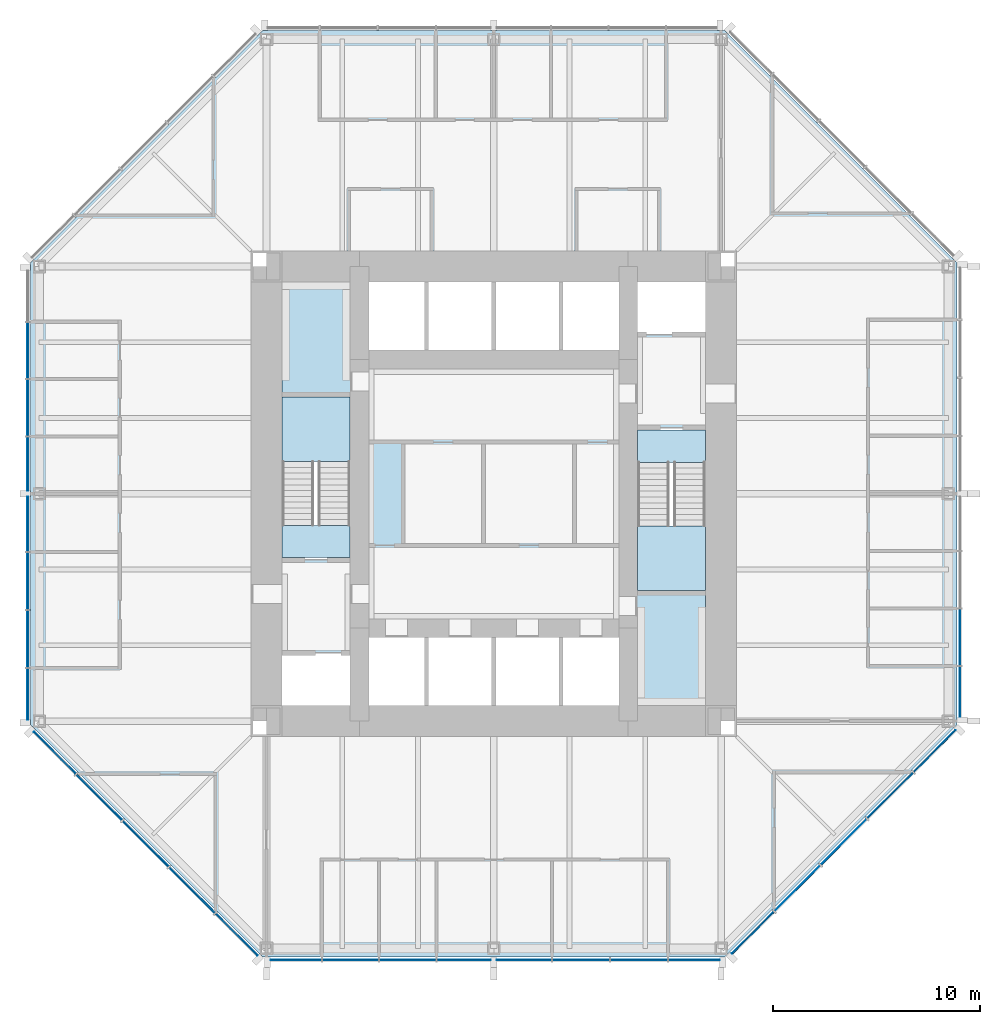
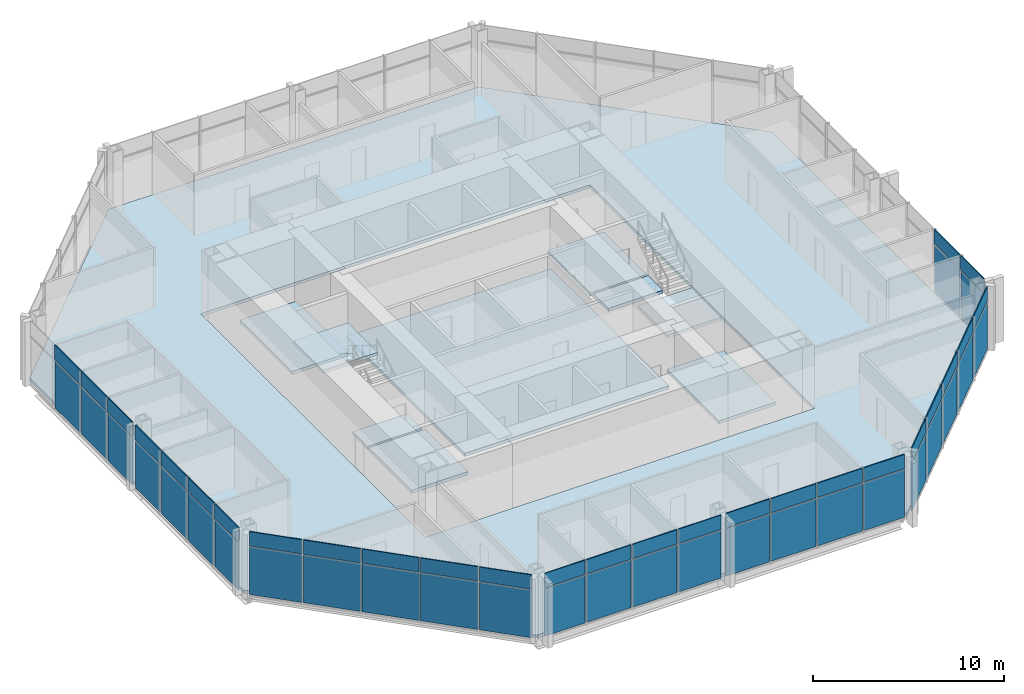
# One storey, part 7 of 12: 54 plates, 10 slabs, 7 elements without a shape of their own.
"""IFC4 building model written with IfcOpenShell, lengths in metres."""

from ifc_helpers import new_model, si_unit, direction, frame, origin, origin_2d, place, context, subcontext, project, spatial, polyline, rectangle, outline, extrude, material, layer, layer_set, type_object, element, aggregate, save


model = new_model("IFC4")

# Units and contexts
model_context = context("Model", 3, precision=1e-05, world=origin(), true_north=direction((0.0, 1.0)))
body_context = subcontext(model_context, "Body", "Model", "MODEL_VIEW")
ifc_project = project(units=[si_unit("LENGTHUNIT", "METRE"), si_unit("AREAUNIT", "SQUARE_METRE"), si_unit("VOLUMEUNIT", "CUBIC_METRE"), si_unit("PLANEANGLEUNIT", "RADIAN"), si_unit("MASSUNIT", "GRAM", prefix="KILO")], contexts=[model_context])

# Site, building, storey
site_placement = place(None, origin())
site = spatial("IfcSite", under=ifc_project, at=site_placement, CompositionType="ELEMENT")
building_placement = place(site_placement, origin())
building = spatial("IfcBuilding", under=site, at=building_placement, Name="Trevanion Tower", CompositionType="ELEMENT")
storey_placement = place(building_placement, frame((0.0, 0.0, 166.39990234375)))
storey = spatial("IfcBuildingStorey", under=building, at=storey_placement, Name="L39", CompositionType="ELEMENT", Elevation=166.39990234375)

# Curtain wall, plates
ifc_material_1 = material(Name="Aluminium and glass", Category="aluminium")
curtain_wall_type = type_object("IfcCurtainWallType", Name="CW2 curtain wall", PredefinedType="USERDEFINED", material=ifc_material_1)
curtain_wall_1_placement = place(storey_placement, origin())
curtain_wall_1 = element("IfcCurtainWall", 1, at=curtain_wall_1_placement, inside=storey, type_object=curtain_wall_type, Name="CW2 L39 0", ObjectType="UNITISED CURTAIN WALL", PredefinedType="USERDEFINED")
ifc_material_2 = material(Name="Aluminium spandrel panel", Category="aluminium")
ifc_layer_1 = layer(ifc_material_2, 0.06005859375)
ifc_layer_set_1 = layer_set([ifc_layer_1], Name="CW2 spandrel panel")
plate_type_1 = type_object("IfcPlateType", Name="CW2 spandrel panel", PredefinedType="CURTAIN_PANEL", material=ifc_layer_set_1)
plate_1_placement = place(storey_placement, frame((22.550048828125, -9.579345703125, 2.99755859375), z_axis=(0.0, 0.0, 1.0), x_axis=(0.0, 1.0, 0.0)))
plate_1 = element("IfcPlate", 2, at=plate_1_placement, type_object=plate_type_1, Name="CW2 panel 1.2", PredefinedType="CURTAIN_PANEL", context=body_context, shape_type="SweptSolid", body=[
    extrude(rectangle(XDim=2.43701171875, YDim=0.06005859375, at=origin_2d()), origin(), (0.0, 0.0, 1.0), 0.91259765625),
])
plate_2_placement = place(storey_placement, frame((22.550048828125, -6.93603515625, 2.99755859375), z_axis=(0.0, 0.0, 1.0), x_axis=(0.0, 1.0, 0.0)))
plate_2 = element("IfcPlate", 3, at=plate_2_placement, type_object=plate_type_1, Name="CW2 panel 2.2", PredefinedType="CURTAIN_PANEL", context=body_context, shape_type="SweptSolid", body=[
    extrude(rectangle(XDim=2.699462890625, YDim=0.06005859375, at=origin_2d()), origin(), (0.0, 0.0, 1.0), 0.91259765625),
])

curtain_wall_2_placement = place(storey_placement, origin())
curtain_wall_2 = element("IfcCurtainWall", 4, at=curtain_wall_2_placement, inside=storey, type_object=curtain_wall_type, Name="CW2 L39 4", ObjectType="UNITISED CURTAIN WALL", PredefinedType="USERDEFINED")
plate_3_placement = place(storey_placement, frame((-22.550048828125, 6.93603515625, 2.99755859375), z_axis=(0.0, 0.0, 1.0), x_axis=(0.0, -1.0, 0.0)))
plate_3 = element("IfcPlate", 5, at=plate_3_placement, type_object=plate_type_1, Name="CW2 panel 2.2", PredefinedType="CURTAIN_PANEL", context=body_context, shape_type="SweptSolid", body=[
    extrude(rectangle(XDim=2.699462890625, YDim=0.06005859375, at=origin_2d()), origin(), (0.0, 0.0, 1.0), 0.91259765625),
])
plate_4_placement = place(storey_placement, frame((-22.550048828125, 4.16162109375, 2.99755859375), z_axis=(0.0, 0.0, 1.0), x_axis=(0.0, -1.0, 0.0)))
plate_4 = element("IfcPlate", 6, at=plate_4_placement, type_object=plate_type_1, Name="CW2 panel 3.2", PredefinedType="CURTAIN_PANEL", context=body_context, shape_type="SweptSolid", body=[
    extrude(rectangle(XDim=2.699462890625, YDim=0.06005859375, at=origin_2d()), origin(), (0.0, 0.0, 1.0), 0.91259765625),
])
plate_5_placement = place(storey_placement, frame((-22.550048828125, 1.443603515625, 2.99755859375), z_axis=(0.0, 0.0, 1.0), x_axis=(0.0, -1.0, 0.0)))
plate_5 = element("IfcPlate", 7, at=plate_5_placement, type_object=plate_type_1, Name="CW2 panel 4.2", PredefinedType="CURTAIN_PANEL", context=body_context, shape_type="SweptSolid", body=[
    extrude(rectangle(XDim=2.5869140625, YDim=0.06005859375, at=origin_2d()), origin(), (0.0, 0.0, 1.0), 0.91259765625),
])
plate_6_placement = place(storey_placement, frame((-22.550048828125, -1.459716796875, 2.99755859375), z_axis=(0.0, 0.0, 1.0), x_axis=(0.0, -1.0, 0.0)))
plate_6 = element("IfcPlate", 8, at=plate_6_placement, type_object=plate_type_1, Name="CW2 panel 5.2", PredefinedType="CURTAIN_PANEL", context=body_context, shape_type="SweptSolid", body=[
    extrude(rectangle(XDim=2.619384765625, YDim=0.06005859375, at=origin_2d()), origin(), (0.0, 0.0, 1.0), 0.91259765625),
])
plate_7_placement = place(storey_placement, frame((-22.550048828125, -4.21044921875, 2.99755859375), z_axis=(0.0, 0.0, 1.0), x_axis=(0.0, -1.0, 0.0)))
plate_7 = element("IfcPlate", 9, at=plate_7_placement, type_object=plate_type_1, Name="CW2 panel 6.2", PredefinedType="CURTAIN_PANEL", context=body_context, shape_type="SweptSolid", body=[
    extrude(rectangle(XDim=2.73193359375, YDim=0.06005859375, at=origin_2d()), origin(), (0.0, 0.0, 1.0), 0.91259765625),
])
plate_8_placement = place(storey_placement, frame((-22.550048828125, -7.017333984375, 2.99755859375), z_axis=(0.0, 0.0, 1.0), x_axis=(0.0, -1.0, 0.0)))
plate_8 = element("IfcPlate", 10, at=plate_8_placement, type_object=plate_type_1, Name="CW2 panel 7.2", PredefinedType="CURTAIN_PANEL", context=body_context, shape_type="SweptSolid", body=[
    extrude(rectangle(XDim=2.73193359375, YDim=0.06005859375, at=origin_2d()), origin(), (0.0, 0.0, 1.0), 0.91259765625),
])
plate_9_placement = place(storey_placement, frame((-22.550048828125, -9.693115234375, 2.99755859375), z_axis=(0.0, 0.0, 1.0), x_axis=(0.0, -1.0, 0.0)))
plate_9 = element("IfcPlate", 11, at=plate_9_placement, type_object=plate_type_1, Name="CW2 panel 8.2", PredefinedType="CURTAIN_PANEL", context=body_context, shape_type="SweptSolid", body=[
    extrude(rectangle(XDim=2.469482421875, YDim=0.06005859375, at=origin_2d()), origin(), (0.0, 0.0, 1.0), 0.91259765625),
])

curtain_wall_3_placement = place(storey_placement, origin())
curtain_wall_3 = element("IfcCurtainWall", 12, at=curtain_wall_3_placement, inside=storey, type_object=curtain_wall_type, Name="CW2 L39 5", ObjectType="UNITISED CURTAIN WALL", PredefinedType="USERDEFINED")
plate_10_placement = place(storey_placement, frame((-21.2421875, -12.53564453125, 2.99755859375), z_axis=(0.0, 0.0, 1.0), x_axis=(0.707106781187, -0.707106781187, 0.0)))
plate_10 = element("IfcPlate", 13, at=plate_10_placement, type_object=plate_type_1, Name="CW2 panel 1.2", PredefinedType="CURTAIN_PANEL", context=body_context, shape_type="SweptSolid", body=[
    extrude(rectangle(XDim=2.8388671875, YDim=0.06005859375, at=origin_2d()), origin(), (0.0, 0.0, 1.0), 0.91259765625),
])
plate_11_placement = place(storey_placement, frame((-19.089111328125, -14.688720703125, 2.99755859375), z_axis=(0.0, 0.0, 1.0), x_axis=(0.707106781187, -0.707106781187, 0.0)))
plate_11 = element("IfcPlate", 14, at=plate_11_placement, type_object=plate_type_1, Name="CW2 panel 2.2", PredefinedType="CURTAIN_PANEL", context=body_context, shape_type="SweptSolid", body=[
    extrude(rectangle(XDim=3.101318359375, YDim=0.06005859375, at=origin_2d()), origin(), (0.0, 0.0, 1.0), 0.91259765625),
])
plate_12_placement = place(storey_placement, frame((-16.843017578125, -16.934814453125, 2.99755859375), z_axis=(0.0, 0.0, 1.0), x_axis=(0.707106781187, -0.707106781187, 0.0)))
plate_12 = element("IfcPlate", 15, at=plate_12_placement, type_object=plate_type_1, Name="CW2 panel 3.2", PredefinedType="CURTAIN_PANEL", context=body_context, shape_type="SweptSolid", body=[
    extrude(rectangle(XDim=3.101318359375, YDim=0.06005859375, at=origin_2d()), origin(), (0.0, 0.0, 1.0), 0.91259765625),
])
plate_13_placement = place(storey_placement, frame((-14.596923828125, -19.180908203125, 2.99755859375), z_axis=(0.0, 0.0, 1.0), x_axis=(0.707106781187, -0.707106781187, 0.0)))
plate_13 = element("IfcPlate", 16, at=plate_13_placement, type_object=plate_type_1, Name="CW2 panel 4.2", PredefinedType="CURTAIN_PANEL", context=body_context, shape_type="SweptSolid", body=[
    extrude(rectangle(XDim=3.101318359375, YDim=0.06005859375, at=origin_2d()), origin(), (0.0, 0.0, 1.0), 0.91259765625),
])
plate_14_placement = place(storey_placement, frame((-12.443603515625, -21.334228515625, 2.99755859375), z_axis=(0.0, 0.0, 1.0), x_axis=(0.707106781187, -0.707106781187, 0.0)))
plate_14 = element("IfcPlate", 17, at=plate_14_placement, type_object=plate_type_1, Name="CW2 panel 5.2", PredefinedType="CURTAIN_PANEL", context=body_context, shape_type="SweptSolid", body=[
    extrude(rectangle(XDim=2.8388671875, YDim=0.06005859375, at=origin_2d()), origin(), (0.0, 0.0, 1.0), 0.91259765625),
])

curtain_wall_4_placement = place(storey_placement, origin())
curtain_wall_4 = element("IfcCurtainWall", 18, at=curtain_wall_4_placement, inside=storey, type_object=curtain_wall_type, Name="CW2 L39 6", ObjectType="UNITISED CURTAIN WALL", PredefinedType="USERDEFINED")
plate_15_placement = place(storey_placement, frame((-9.579345703125, -22.550048828125, 2.99755859375), z_axis=(0.0, 0.0, 1.0), x_axis=(1.0, 0.0, 0.0)))
plate_15 = element("IfcPlate", 19, at=plate_15_placement, type_object=plate_type_1, Name="CW2 panel 1.2", PredefinedType="CURTAIN_PANEL", context=body_context, shape_type="SweptSolid", body=[
    extrude(rectangle(XDim=2.43701171875, YDim=0.06005859375, at=origin_2d()), origin(), (0.0, 0.0, 1.0), 0.91259765625),
])
plate_16_placement = place(storey_placement, frame((-6.93603515625, -22.550048828125, 2.99755859375), z_axis=(0.0, 0.0, 1.0), x_axis=(1.0, 0.0, 0.0)))
plate_16 = element("IfcPlate", 20, at=plate_16_placement, type_object=plate_type_1, Name="CW2 panel 2.2", PredefinedType="CURTAIN_PANEL", context=body_context, shape_type="SweptSolid", body=[
    extrude(rectangle(XDim=2.699462890625, YDim=0.06005859375, at=origin_2d()), origin(), (0.0, 0.0, 1.0), 0.91259765625),
])
plate_17_placement = place(storey_placement, frame((-4.16162109375, -22.550048828125, 2.99755859375), z_axis=(0.0, 0.0, 1.0), x_axis=(1.0, 0.0, 0.0)))
plate_17 = element("IfcPlate", 21, at=plate_17_placement, type_object=plate_type_1, Name="CW2 panel 3.2", PredefinedType="CURTAIN_PANEL", context=body_context, shape_type="SweptSolid", body=[
    extrude(rectangle(XDim=2.699462890625, YDim=0.06005859375, at=origin_2d()), origin(), (0.0, 0.0, 1.0), 0.91259765625),
])
plate_18_placement = place(storey_placement, frame((-1.443603515625, -22.550048828125, 2.99755859375), z_axis=(0.0, 0.0, 1.0), x_axis=(1.0, 0.0, 0.0)))
plate_18 = element("IfcPlate", 22, at=plate_18_placement, type_object=plate_type_1, Name="CW2 panel 4.2", PredefinedType="CURTAIN_PANEL", context=body_context, shape_type="SweptSolid", body=[
    extrude(rectangle(XDim=2.5869140625, YDim=0.06005859375, at=origin_2d()), origin(), (0.0, 0.0, 1.0), 0.91259765625),
])
plate_19_placement = place(storey_placement, frame((1.459716796875, -22.550048828125, 2.99755859375), z_axis=(0.0, 0.0, 1.0), x_axis=(1.0, 0.0, 0.0)))
plate_19 = element("IfcPlate", 23, at=plate_19_placement, type_object=plate_type_1, Name="CW2 panel 5.2", PredefinedType="CURTAIN_PANEL", context=body_context, shape_type="SweptSolid", body=[
    extrude(rectangle(XDim=2.619384765625, YDim=0.06005859375, at=origin_2d()), origin(), (0.0, 0.0, 1.0), 0.91259765625),
])
plate_20_placement = place(storey_placement, frame((4.21044921875, -22.550048828125, 2.99755859375), z_axis=(0.0, 0.0, 1.0), x_axis=(1.0, 0.0, 0.0)))
plate_20 = element("IfcPlate", 24, at=plate_20_placement, type_object=plate_type_1, Name="CW2 panel 6.2", PredefinedType="CURTAIN_PANEL", context=body_context, shape_type="SweptSolid", body=[
    extrude(rectangle(XDim=2.73193359375, YDim=0.06005859375, at=origin_2d()), origin(), (0.0, 0.0, 1.0), 0.91259765625),
])
plate_21_placement = place(storey_placement, frame((7.017333984375, -22.550048828125, 2.99755859375), z_axis=(0.0, 0.0, 1.0), x_axis=(1.0, 0.0, 0.0)))
plate_21 = element("IfcPlate", 25, at=plate_21_placement, type_object=plate_type_1, Name="CW2 panel 7.2", PredefinedType="CURTAIN_PANEL", context=body_context, shape_type="SweptSolid", body=[
    extrude(rectangle(XDim=2.73193359375, YDim=0.06005859375, at=origin_2d()), origin(), (0.0, 0.0, 1.0), 0.91259765625),
])
plate_22_placement = place(storey_placement, frame((9.693115234375, -22.550048828125, 2.99755859375), z_axis=(0.0, 0.0, 1.0), x_axis=(1.0, 0.0, 0.0)))
plate_22 = element("IfcPlate", 26, at=plate_22_placement, type_object=plate_type_1, Name="CW2 panel 8.2", PredefinedType="CURTAIN_PANEL", context=body_context, shape_type="SweptSolid", body=[
    extrude(rectangle(XDim=2.469482421875, YDim=0.06005859375, at=origin_2d()), origin(), (0.0, 0.0, 1.0), 0.91259765625),
])

curtain_wall_5_placement = place(storey_placement, origin())
curtain_wall_5 = element("IfcCurtainWall", 27, at=curtain_wall_5_placement, inside=storey, type_object=curtain_wall_type, Name="CW2 L39 7", ObjectType="UNITISED CURTAIN WALL", PredefinedType="USERDEFINED")
plate_23_placement = place(storey_placement, frame((12.53564453125, -21.2421875, 2.99755859375), z_axis=(0.0, 0.0, 1.0), x_axis=(0.707106781187, 0.707106781187, 0.0)))
plate_23 = element("IfcPlate", 28, at=plate_23_placement, type_object=plate_type_1, Name="CW2 panel 1.2", PredefinedType="CURTAIN_PANEL", context=body_context, shape_type="SweptSolid", body=[
    extrude(rectangle(XDim=2.8388671875, YDim=0.06005859375, at=origin_2d()), origin(), (0.0, 0.0, 1.0), 0.91259765625),
])
plate_24_placement = place(storey_placement, frame((14.688720703125, -19.089111328125, 2.99755859375), z_axis=(0.0, 0.0, 1.0), x_axis=(0.707106781187, 0.707106781187, 0.0)))
plate_24 = element("IfcPlate", 29, at=plate_24_placement, type_object=plate_type_1, Name="CW2 panel 2.2", PredefinedType="CURTAIN_PANEL", context=body_context, shape_type="SweptSolid", body=[
    extrude(rectangle(XDim=3.101318359375, YDim=0.06005859375, at=origin_2d()), origin(), (0.0, 0.0, 1.0), 0.91259765625),
])
plate_25_placement = place(storey_placement, frame((16.934814453125, -16.843017578125, 2.99755859375), z_axis=(0.0, 0.0, 1.0), x_axis=(0.707106781187, 0.707106781187, 0.0)))
plate_25 = element("IfcPlate", 30, at=plate_25_placement, type_object=plate_type_1, Name="CW2 panel 3.2", PredefinedType="CURTAIN_PANEL", context=body_context, shape_type="SweptSolid", body=[
    extrude(rectangle(XDim=3.101318359375, YDim=0.06005859375, at=origin_2d()), origin(), (0.0, 0.0, 1.0), 0.91259765625),
])
plate_26_placement = place(storey_placement, frame((19.180908203125, -14.596923828125, 2.99755859375), z_axis=(0.0, 0.0, 1.0), x_axis=(0.707106781187, 0.707106781187, 0.0)))
plate_26 = element("IfcPlate", 31, at=plate_26_placement, type_object=plate_type_1, Name="CW2 panel 4.2", PredefinedType="CURTAIN_PANEL", context=body_context, shape_type="SweptSolid", body=[
    extrude(rectangle(XDim=3.101318359375, YDim=0.06005859375, at=origin_2d()), origin(), (0.0, 0.0, 1.0), 0.91259765625),
])
plate_27_placement = place(storey_placement, frame((21.334228515625, -12.443603515625, 2.99755859375), z_axis=(0.0, 0.0, 1.0), x_axis=(0.707106781187, 0.707106781187, 0.0)))
plate_27 = element("IfcPlate", 32, at=plate_27_placement, type_object=plate_type_1, Name="CW2 panel 5.2", PredefinedType="CURTAIN_PANEL", context=body_context, shape_type="SweptSolid", body=[
    extrude(rectangle(XDim=2.8388671875, YDim=0.06005859375, at=origin_2d()), origin(), (0.0, 0.0, 1.0), 0.91259765625),
])

# Plate
ifc_material_3 = material(Name="Insulating glass unit", Category="glass")
ifc_layer_2 = layer(ifc_material_3, 0.028076171875)
ifc_layer_set_2 = layer_set([ifc_layer_2], Name="CW2 vision panel")
plate_type_2 = type_object("IfcPlateType", Name="CW2 vision panel", PredefinedType="CURTAIN_PANEL", material=ifc_layer_set_2)
plate_28_placement = place(storey_placement, frame((22.550048828125, -9.579345703125, -0.114990234375), z_axis=(0.0, 0.0, 1.0), x_axis=(0.0, 1.0, 0.0)))
plate_28 = element("IfcPlate", 33, at=plate_28_placement, type_object=plate_type_2, Name="CW2 panel 1.1", PredefinedType="CURTAIN_PANEL", context=body_context, shape_type="SweptSolid", body=[
    extrude(rectangle(XDim=2.43701171875, YDim=0.028076171875, at=origin_2d()), origin(), (0.0, 0.0, 1.0), 3.03759765625),
])

plate_29_placement = place(storey_placement, frame((22.550048828125, -6.93603515625, -0.114990234375), z_axis=(0.0, 0.0, 1.0), x_axis=(0.0, 1.0, 0.0)))
plate_29 = element("IfcPlate", 34, at=plate_29_placement, type_object=plate_type_2, Name="CW2 panel 2.1", PredefinedType="CURTAIN_PANEL", context=body_context, shape_type="SweptSolid", body=[
    extrude(rectangle(XDim=2.699462890625, YDim=0.028076171875, at=origin_2d()), origin(), (0.0, 0.0, 1.0), 3.03759765625),
])

aggregate(curtain_wall_1, [plate_28, plate_1, plate_29, plate_2])

plate_30_placement = place(storey_placement, frame((-22.550048828125, 6.93603515625, -0.114990234375), z_axis=(0.0, 0.0, 1.0), x_axis=(0.0, -1.0, 0.0)))
plate_30 = element("IfcPlate", 35, at=plate_30_placement, type_object=plate_type_2, Name="CW2 panel 2.1", PredefinedType="CURTAIN_PANEL", context=body_context, shape_type="SweptSolid", body=[
    extrude(rectangle(XDim=2.699462890625, YDim=0.028076171875, at=origin_2d()), origin(), (0.0, 0.0, 1.0), 3.03759765625),
])

plate_31_placement = place(storey_placement, frame((-22.550048828125, 4.16162109375, -0.114990234375), z_axis=(0.0, 0.0, 1.0), x_axis=(0.0, -1.0, 0.0)))
plate_31 = element("IfcPlate", 36, at=plate_31_placement, type_object=plate_type_2, Name="CW2 panel 3.1", PredefinedType="CURTAIN_PANEL", context=body_context, shape_type="SweptSolid", body=[
    extrude(rectangle(XDim=2.699462890625, YDim=0.028076171875, at=origin_2d()), origin(), (0.0, 0.0, 1.0), 3.03759765625),
])

plate_32_placement = place(storey_placement, frame((-22.550048828125, 1.443603515625, -0.114990234375), z_axis=(0.0, 0.0, 1.0), x_axis=(0.0, -1.0, 0.0)))
plate_32 = element("IfcPlate", 37, at=plate_32_placement, type_object=plate_type_2, Name="CW2 panel 4.1", PredefinedType="CURTAIN_PANEL", context=body_context, shape_type="SweptSolid", body=[
    extrude(rectangle(XDim=2.5869140625, YDim=0.028076171875, at=origin_2d()), origin(), (0.0, 0.0, 1.0), 3.03759765625),
])

plate_33_placement = place(storey_placement, frame((-22.550048828125, -1.459716796875, -0.114990234375), z_axis=(0.0, 0.0, 1.0), x_axis=(0.0, -1.0, 0.0)))
plate_33 = element("IfcPlate", 38, at=plate_33_placement, type_object=plate_type_2, Name="CW2 panel 5.1", PredefinedType="CURTAIN_PANEL", context=body_context, shape_type="SweptSolid", body=[
    extrude(rectangle(XDim=2.619384765625, YDim=0.028076171875, at=origin_2d()), origin(), (0.0, 0.0, 1.0), 3.03759765625),
])

plate_34_placement = place(storey_placement, frame((-22.550048828125, -4.21044921875, -0.114990234375), z_axis=(0.0, 0.0, 1.0), x_axis=(0.0, -1.0, 0.0)))
plate_34 = element("IfcPlate", 39, at=plate_34_placement, type_object=plate_type_2, Name="CW2 panel 6.1", PredefinedType="CURTAIN_PANEL", context=body_context, shape_type="SweptSolid", body=[
    extrude(rectangle(XDim=2.73193359375, YDim=0.028076171875, at=origin_2d()), origin(), (0.0, 0.0, 1.0), 3.03759765625),
])

plate_35_placement = place(storey_placement, frame((-22.550048828125, -7.017333984375, -0.114990234375), z_axis=(0.0, 0.0, 1.0), x_axis=(0.0, -1.0, 0.0)))
plate_35 = element("IfcPlate", 40, at=plate_35_placement, type_object=plate_type_2, Name="CW2 panel 7.1", PredefinedType="CURTAIN_PANEL", context=body_context, shape_type="SweptSolid", body=[
    extrude(rectangle(XDim=2.73193359375, YDim=0.028076171875, at=origin_2d()), origin(), (0.0, 0.0, 1.0), 3.03759765625),
])

plate_36_placement = place(storey_placement, frame((-22.550048828125, -9.693115234375, -0.114990234375), z_axis=(0.0, 0.0, 1.0), x_axis=(0.0, -1.0, 0.0)))
plate_36 = element("IfcPlate", 41, at=plate_36_placement, type_object=plate_type_2, Name="CW2 panel 8.1", PredefinedType="CURTAIN_PANEL", context=body_context, shape_type="SweptSolid", body=[
    extrude(rectangle(XDim=2.469482421875, YDim=0.028076171875, at=origin_2d()), origin(), (0.0, 0.0, 1.0), 3.03759765625),
])

aggregate(curtain_wall_2, [plate_30, plate_3, plate_31, plate_4, plate_32, plate_5, plate_33, plate_6, plate_34, plate_7, plate_35, plate_8, plate_36, plate_9])

plate_37_placement = place(storey_placement, frame((-21.2421875, -12.53564453125, -0.114990234375), z_axis=(0.0, 0.0, 1.0), x_axis=(0.707106781187, -0.707106781187, 0.0)))
plate_37 = element("IfcPlate", 42, at=plate_37_placement, type_object=plate_type_2, Name="CW2 panel 1.1", PredefinedType="CURTAIN_PANEL", context=body_context, shape_type="SweptSolid", body=[
    extrude(rectangle(XDim=2.8388671875, YDim=0.028076171875, at=origin_2d()), origin(), (0.0, 0.0, 1.0), 3.03759765625),
])

plate_38_placement = place(storey_placement, frame((-19.089111328125, -14.688720703125, -0.114990234375), z_axis=(0.0, 0.0, 1.0), x_axis=(0.707106781187, -0.707106781187, 0.0)))
plate_38 = element("IfcPlate", 43, at=plate_38_placement, type_object=plate_type_2, Name="CW2 panel 2.1", PredefinedType="CURTAIN_PANEL", context=body_context, shape_type="SweptSolid", body=[
    extrude(rectangle(XDim=3.101318359375, YDim=0.028076171875, at=origin_2d()), origin(), (0.0, 0.0, 1.0), 3.03759765625),
])

plate_39_placement = place(storey_placement, frame((-16.843017578125, -16.934814453125, -0.114990234375), z_axis=(0.0, 0.0, 1.0), x_axis=(0.707106781187, -0.707106781187, 0.0)))
plate_39 = element("IfcPlate", 44, at=plate_39_placement, type_object=plate_type_2, Name="CW2 panel 3.1", PredefinedType="CURTAIN_PANEL", context=body_context, shape_type="SweptSolid", body=[
    extrude(rectangle(XDim=3.101318359375, YDim=0.028076171875, at=origin_2d()), origin(), (0.0, 0.0, 1.0), 3.03759765625),
])

plate_40_placement = place(storey_placement, frame((-14.596923828125, -19.180908203125, -0.114990234375), z_axis=(0.0, 0.0, 1.0), x_axis=(0.707106781187, -0.707106781187, 0.0)))
plate_40 = element("IfcPlate", 45, at=plate_40_placement, type_object=plate_type_2, Name="CW2 panel 4.1", PredefinedType="CURTAIN_PANEL", context=body_context, shape_type="SweptSolid", body=[
    extrude(rectangle(XDim=3.101318359375, YDim=0.028076171875, at=origin_2d()), origin(), (0.0, 0.0, 1.0), 3.03759765625),
])

plate_41_placement = place(storey_placement, frame((-12.443603515625, -21.334228515625, -0.114990234375), z_axis=(0.0, 0.0, 1.0), x_axis=(0.707106781187, -0.707106781187, 0.0)))
plate_41 = element("IfcPlate", 46, at=plate_41_placement, type_object=plate_type_2, Name="CW2 panel 5.1", PredefinedType="CURTAIN_PANEL", context=body_context, shape_type="SweptSolid", body=[
    extrude(rectangle(XDim=2.8388671875, YDim=0.028076171875, at=origin_2d()), origin(), (0.0, 0.0, 1.0), 3.03759765625),
])

aggregate(curtain_wall_3, [plate_37, plate_10, plate_38, plate_11, plate_39, plate_12, plate_40, plate_13, plate_41, plate_14])

plate_42_placement = place(storey_placement, frame((-9.579345703125, -22.550048828125, -0.114990234375), z_axis=(0.0, 0.0, 1.0), x_axis=(1.0, 0.0, 0.0)))
plate_42 = element("IfcPlate", 47, at=plate_42_placement, type_object=plate_type_2, Name="CW2 panel 1.1", PredefinedType="CURTAIN_PANEL", context=body_context, shape_type="SweptSolid", body=[
    extrude(rectangle(XDim=2.43701171875, YDim=0.028076171875, at=origin_2d()), origin(), (0.0, 0.0, 1.0), 3.03759765625),
])

plate_43_placement = place(storey_placement, frame((-6.93603515625, -22.550048828125, -0.114990234375), z_axis=(0.0, 0.0, 1.0), x_axis=(1.0, 0.0, 0.0)))
plate_43 = element("IfcPlate", 48, at=plate_43_placement, type_object=plate_type_2, Name="CW2 panel 2.1", PredefinedType="CURTAIN_PANEL", context=body_context, shape_type="SweptSolid", body=[
    extrude(rectangle(XDim=2.699462890625, YDim=0.028076171875, at=origin_2d()), origin(), (0.0, 0.0, 1.0), 3.03759765625),
])

plate_44_placement = place(storey_placement, frame((-4.16162109375, -22.550048828125, -0.114990234375), z_axis=(0.0, 0.0, 1.0), x_axis=(1.0, 0.0, 0.0)))
plate_44 = element("IfcPlate", 49, at=plate_44_placement, type_object=plate_type_2, Name="CW2 panel 3.1", PredefinedType="CURTAIN_PANEL", context=body_context, shape_type="SweptSolid", body=[
    extrude(rectangle(XDim=2.699462890625, YDim=0.028076171875, at=origin_2d()), origin(), (0.0, 0.0, 1.0), 3.03759765625),
])

plate_45_placement = place(storey_placement, frame((-1.443603515625, -22.550048828125, -0.114990234375), z_axis=(0.0, 0.0, 1.0), x_axis=(1.0, 0.0, 0.0)))
plate_45 = element("IfcPlate", 50, at=plate_45_placement, type_object=plate_type_2, Name="CW2 panel 4.1", PredefinedType="CURTAIN_PANEL", context=body_context, shape_type="SweptSolid", body=[
    extrude(rectangle(XDim=2.5869140625, YDim=0.028076171875, at=origin_2d()), origin(), (0.0, 0.0, 1.0), 3.03759765625),
])

plate_46_placement = place(storey_placement, frame((1.459716796875, -22.550048828125, -0.114990234375), z_axis=(0.0, 0.0, 1.0), x_axis=(1.0, 0.0, 0.0)))
plate_46 = element("IfcPlate", 51, at=plate_46_placement, type_object=plate_type_2, Name="CW2 panel 5.1", PredefinedType="CURTAIN_PANEL", context=body_context, shape_type="SweptSolid", body=[
    extrude(rectangle(XDim=2.619384765625, YDim=0.028076171875, at=origin_2d()), origin(), (0.0, 0.0, 1.0), 3.03759765625),
])

plate_47_placement = place(storey_placement, frame((4.21044921875, -22.550048828125, -0.114990234375), z_axis=(0.0, 0.0, 1.0), x_axis=(1.0, 0.0, 0.0)))
plate_47 = element("IfcPlate", 52, at=plate_47_placement, type_object=plate_type_2, Name="CW2 panel 6.1", PredefinedType="CURTAIN_PANEL", context=body_context, shape_type="SweptSolid", body=[
    extrude(rectangle(XDim=2.73193359375, YDim=0.028076171875, at=origin_2d()), origin(), (0.0, 0.0, 1.0), 3.03759765625),
])

plate_48_placement = place(storey_placement, frame((7.017333984375, -22.550048828125, -0.114990234375), z_axis=(0.0, 0.0, 1.0), x_axis=(1.0, 0.0, 0.0)))
plate_48 = element("IfcPlate", 53, at=plate_48_placement, type_object=plate_type_2, Name="CW2 panel 7.1", PredefinedType="CURTAIN_PANEL", context=body_context, shape_type="SweptSolid", body=[
    extrude(rectangle(XDim=2.73193359375, YDim=0.028076171875, at=origin_2d()), origin(), (0.0, 0.0, 1.0), 3.03759765625),
])

plate_49_placement = place(storey_placement, frame((9.693115234375, -22.550048828125, -0.114990234375), z_axis=(0.0, 0.0, 1.0), x_axis=(1.0, 0.0, 0.0)))
plate_49 = element("IfcPlate", 54, at=plate_49_placement, type_object=plate_type_2, Name="CW2 panel 8.1", PredefinedType="CURTAIN_PANEL", context=body_context, shape_type="SweptSolid", body=[
    extrude(rectangle(XDim=2.469482421875, YDim=0.028076171875, at=origin_2d()), origin(), (0.0, 0.0, 1.0), 3.03759765625),
])

aggregate(curtain_wall_4, [plate_42, plate_15, plate_43, plate_16, plate_44, plate_17, plate_45, plate_18, plate_46, plate_19, plate_47, plate_20, plate_48, plate_21, plate_49, plate_22])

plate_50_placement = place(storey_placement, frame((12.53564453125, -21.2421875, -0.114990234375), z_axis=(0.0, 0.0, 1.0), x_axis=(0.707106781187, 0.707106781187, 0.0)))
plate_50 = element("IfcPlate", 55, at=plate_50_placement, type_object=plate_type_2, Name="CW2 panel 1.1", PredefinedType="CURTAIN_PANEL", context=body_context, shape_type="SweptSolid", body=[
    extrude(rectangle(XDim=2.8388671875, YDim=0.028076171875, at=origin_2d()), origin(), (0.0, 0.0, 1.0), 3.03759765625),
])

plate_51_placement = place(storey_placement, frame((14.688720703125, -19.089111328125, -0.114990234375), z_axis=(0.0, 0.0, 1.0), x_axis=(0.707106781187, 0.707106781187, 0.0)))
plate_51 = element("IfcPlate", 56, at=plate_51_placement, type_object=plate_type_2, Name="CW2 panel 2.1", PredefinedType="CURTAIN_PANEL", context=body_context, shape_type="SweptSolid", body=[
    extrude(rectangle(XDim=3.101318359375, YDim=0.028076171875, at=origin_2d()), origin(), (0.0, 0.0, 1.0), 3.03759765625),
])

plate_52_placement = place(storey_placement, frame((16.934814453125, -16.843017578125, -0.114990234375), z_axis=(0.0, 0.0, 1.0), x_axis=(0.707106781187, 0.707106781187, 0.0)))
plate_52 = element("IfcPlate", 57, at=plate_52_placement, type_object=plate_type_2, Name="CW2 panel 3.1", PredefinedType="CURTAIN_PANEL", context=body_context, shape_type="SweptSolid", body=[
    extrude(rectangle(XDim=3.101318359375, YDim=0.028076171875, at=origin_2d()), origin(), (0.0, 0.0, 1.0), 3.03759765625),
])

plate_53_placement = place(storey_placement, frame((19.180908203125, -14.596923828125, -0.114990234375), z_axis=(0.0, 0.0, 1.0), x_axis=(0.707106781187, 0.707106781187, 0.0)))
plate_53 = element("IfcPlate", 58, at=plate_53_placement, type_object=plate_type_2, Name="CW2 panel 4.1", PredefinedType="CURTAIN_PANEL", context=body_context, shape_type="SweptSolid", body=[
    extrude(rectangle(XDim=3.101318359375, YDim=0.028076171875, at=origin_2d()), origin(), (0.0, 0.0, 1.0), 3.03759765625),
])

plate_54_placement = place(storey_placement, frame((21.334228515625, -12.443603515625, -0.114990234375), z_axis=(0.0, 0.0, 1.0), x_axis=(0.707106781187, 0.707106781187, 0.0)))
plate_54 = element("IfcPlate", 59, at=plate_54_placement, type_object=plate_type_2, Name="CW2 panel 5.1", PredefinedType="CURTAIN_PANEL", context=body_context, shape_type="SweptSolid", body=[
    extrude(rectangle(XDim=2.8388671875, YDim=0.028076171875, at=origin_2d()), origin(), (0.0, 0.0, 1.0), 3.03759765625),
])

aggregate(curtain_wall_5, [plate_50, plate_23, plate_51, plate_24, plate_52, plate_25, plate_53, plate_26, plate_54, plate_27])

# Slabs
ifc_material_4 = material(Name="Concrete 5,000 psi on composite metal deck", Category="concrete")
ifc_layer_3 = layer(ifc_material_4, 0.18994140625)
ifc_layer_set_3 = layer_set([ifc_layer_3], Name="SL1 composite floor 190")
slab_type_1 = type_object("IfcSlabType", Name="SL1 composite floor 190", PredefinedType="FLOOR", material=ifc_layer_set_3)
slab_1_placement = place(storey_placement, frame((0.0, 0.0, -0.18994140625)))
element("IfcSlab", 60, at=slab_1_placement, inside=storey, type_object=slab_type_1, Name="SL1 L39 floor", PredefinedType="FLOOR", context=body_context, shape_type="SweptSolid", body=[
    extrude(outline(polyline([(22.419921875, -11.174072265625), (22.419921875, 11.174072265625), (11.174072265625, 22.419921875), (-11.174072265625, 22.419921875), (-22.419921875, 11.174072265625), (-22.419921875, -11.174072265625), (-11.174072265625, -22.419921875), (11.174072265625, -22.419921875), (22.419921875, -11.174072265625)]), holes=[polyline([(11.75, -11.75), (11.75, 11.75), (-11.75, 11.75), (-11.75, -11.75), (11.75, -11.75)])]), origin(), (0.0, 0.0, 1.0), 0.18994140625),
])
ifc_material_5 = material(Name="Concrete 5,000 psi", Category="concrete")
ifc_layer_4 = layer(ifc_material_5, 0.199951171875)
ifc_layer_set_4 = layer_set([ifc_layer_4], Name="SL2 core floor 200")
slab_type_2 = type_object("IfcSlabType", Name="SL2 core floor 200", PredefinedType="FLOOR", material=ifc_layer_set_4)
slab_2_placement = place(storey_placement, frame((0.0, 0.0, -0.199951171875)))
element("IfcSlab", 61, at=slab_2_placement, inside=storey, type_object=slab_type_2, Name="SL2 L39 core floor 1", PredefinedType="FLOOR", context=body_context, shape_type="SweptSolid", body=[
    extrude(outline(polyline([(10.25, -4.804931640625), (10.25, -10.25), (6.830078125, -10.25), (6.830078125, -4.804931640625), (10.25, -4.804931640625)])), origin(), (0.0, 0.0, 1.0), 0.199951171875),
])
slab_3_placement = place(storey_placement, frame((0.0, 0.0, -0.199951171875)))
element("IfcSlab", 62, at=slab_3_placement, inside=storey, type_object=slab_type_2, Name="SL2 L39 core floor 2", PredefinedType="FLOOR", context=body_context, shape_type="SweptSolid", body=[
    extrude(outline(polyline([(-6.830078125, -3.205078125), (-6.830078125, -7.695068359375), (-10.25, -7.695068359375), (-10.25, -3.205078125), (-6.830078125, -3.205078125)])), origin(), (0.0, 0.0, 1.0), 0.199951171875),
])
slab_4_placement = place(storey_placement, frame((0.0, 0.0, -0.199951171875)))
element("IfcSlab", 63, at=slab_4_placement, inside=storey, type_object=slab_type_2, Name="SL2 L39 core floor 3", PredefinedType="FLOOR", context=body_context, shape_type="SweptSolid", body=[
    extrude(outline(polyline([(6.169921875, -6.169921875), (-6.169921875, -6.169921875), (-6.169921875, 6.169921875), (6.169921875, 6.169921875), (6.169921875, -6.169921875)])), origin(), (0.0, 0.0, 1.0), 0.199951171875),
])
slab_5_placement = place(storey_placement, frame((0.0, 0.0, -0.199951171875)))
element("IfcSlab", 64, at=slab_5_placement, inside=storey, type_object=slab_type_2, Name="SL2 L39 core floor 4", PredefinedType="FLOOR", context=body_context, shape_type="SweptSolid", body=[
    extrude(outline(polyline([(6.830078125, 3.205078125), (6.830078125, 7.695068359375), (10.25, 7.695068359375), (10.25, 3.205078125), (6.830078125, 3.205078125)])), origin(), (0.0, 0.0, 1.0), 0.199951171875),
])
slab_6_placement = place(storey_placement, frame((0.0, 0.0, -0.199951171875)))
element("IfcSlab", 65, at=slab_6_placement, inside=storey, type_object=slab_type_2, Name="SL2 L39 core floor 5", PredefinedType="FLOOR", context=body_context, shape_type="SweptSolid", body=[
    extrude(outline(polyline([(-6.830078125, 4.804931640625), (-10.25, 4.804931640625), (-10.25, 10.25), (-6.830078125, 10.25), (-6.830078125, 4.804931640625)])), origin(), (0.0, 0.0, 1.0), 0.199951171875),
])

# Stair, slabs
ifc_material_6 = material(Name="Concrete 5,000 psi on steel stringers", Category="concrete")
stair_type = type_object("IfcStairType", Name="ST stair", PredefinedType="HALF_TURN_STAIR", material=ifc_material_6)
stair_1_placement = place(storey_placement, origin())
stair_1 = element("IfcStair", 66, at=stair_1_placement, inside=storey, type_object=stair_type, Name="ST1 L39", PredefinedType="HALF_TURN_STAIR")
ifc_material_7 = material(Name="Concrete 5,000 psi in steel pan", Category="concrete")
ifc_layer_5 = layer(ifc_material_7, 0.199951171875)
ifc_layer_set_5 = layer_set([ifc_layer_5], Name="STL stair landing 200")
slab_type_3 = type_object("IfcSlabType", Name="STL stair landing 200", PredefinedType="LANDING", material=ifc_layer_set_5)
slab_7_placement = place(storey_placement, frame((0.0, 0.0, -0.199951171875)))
slab_7 = element("IfcSlab", 67, at=slab_7_placement, type_object=slab_type_3, Name="ST1 landing 1", PredefinedType="LANDING", context=body_context, shape_type="SweptSolid", body=[
    extrude(outline(polyline([(6.949951171875, 1.52490234375), (10.25, 1.52490234375), (10.25, 3.074951171875), (6.949951171875, 3.074951171875), (6.949951171875, 1.52490234375)])), origin(), (0.0, 0.0, 1.0), 0.199951171875),
])
slab_8_placement = place(storey_placement, frame((0.0, 0.0, 1.85009765625)))
slab_8 = element("IfcSlab", 68, at=slab_8_placement, type_object=slab_type_3, Name="ST1 landing 2", PredefinedType="LANDING", context=body_context, shape_type="SweptSolid", body=[
    extrude(outline(polyline([(6.949951171875, -4.675048828125), (10.25, -4.675048828125), (10.25, -1.554931640625), (6.949951171875, -1.554931640625), (6.949951171875, -4.675048828125)])), origin(), (0.0, 0.0, 1.0), 0.199951171875),
])
aggregate(stair_1, [slab_7, slab_8])

stair_2_placement = place(storey_placement, origin())
stair_2 = element("IfcStair", 69, at=stair_2_placement, inside=storey, type_object=stair_type, Name="ST2 L39", PredefinedType="HALF_TURN_STAIR")
slab_9_placement = place(storey_placement, frame((0.0, 0.0, -0.199951171875)))
slab_9 = element("IfcSlab", 70, at=slab_9_placement, type_object=slab_type_3, Name="ST2 landing 1", PredefinedType="LANDING", context=body_context, shape_type="SweptSolid", body=[
    extrude(outline(polyline([(-6.949951171875, -1.52490234375), (-10.25, -1.52490234375), (-10.25, -3.074951171875), (-6.949951171875, -3.074951171875), (-6.949951171875, -1.52490234375)])), origin(), (0.0, 0.0, 1.0), 0.199951171875),
])
slab_10_placement = place(storey_placement, frame((0.0, 0.0, 1.85009765625)))
slab_10 = element("IfcSlab", 71, at=slab_10_placement, type_object=slab_type_3, Name="ST2 landing 2", PredefinedType="LANDING", context=body_context, shape_type="SweptSolid", body=[
    extrude(outline(polyline([(-6.949951171875, 4.675048828125), (-10.25, 4.675048828125), (-10.25, 1.554931640625), (-6.949951171875, 1.554931640625), (-6.949951171875, 4.675048828125)])), origin(), (0.0, 0.0, 1.0), 0.199951171875),
])
aggregate(stair_2, [slab_9, slab_10])

save(model, "model.ifc")
